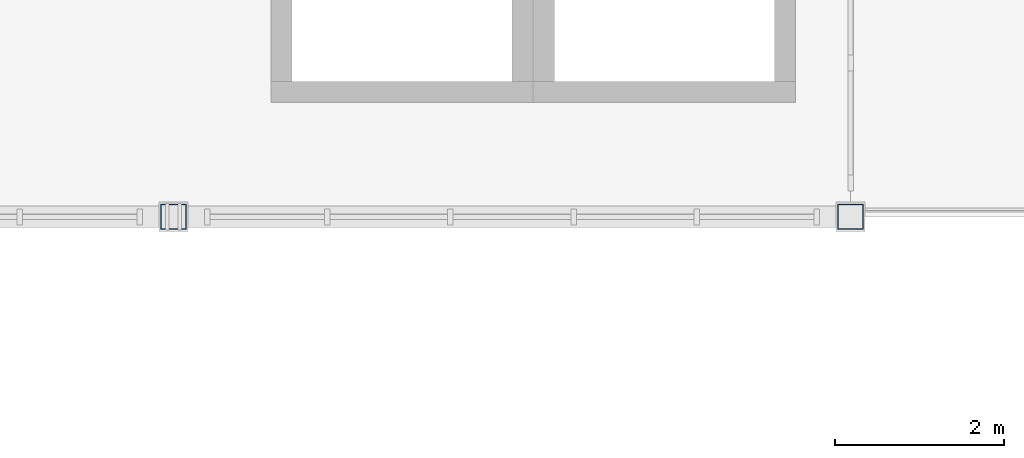
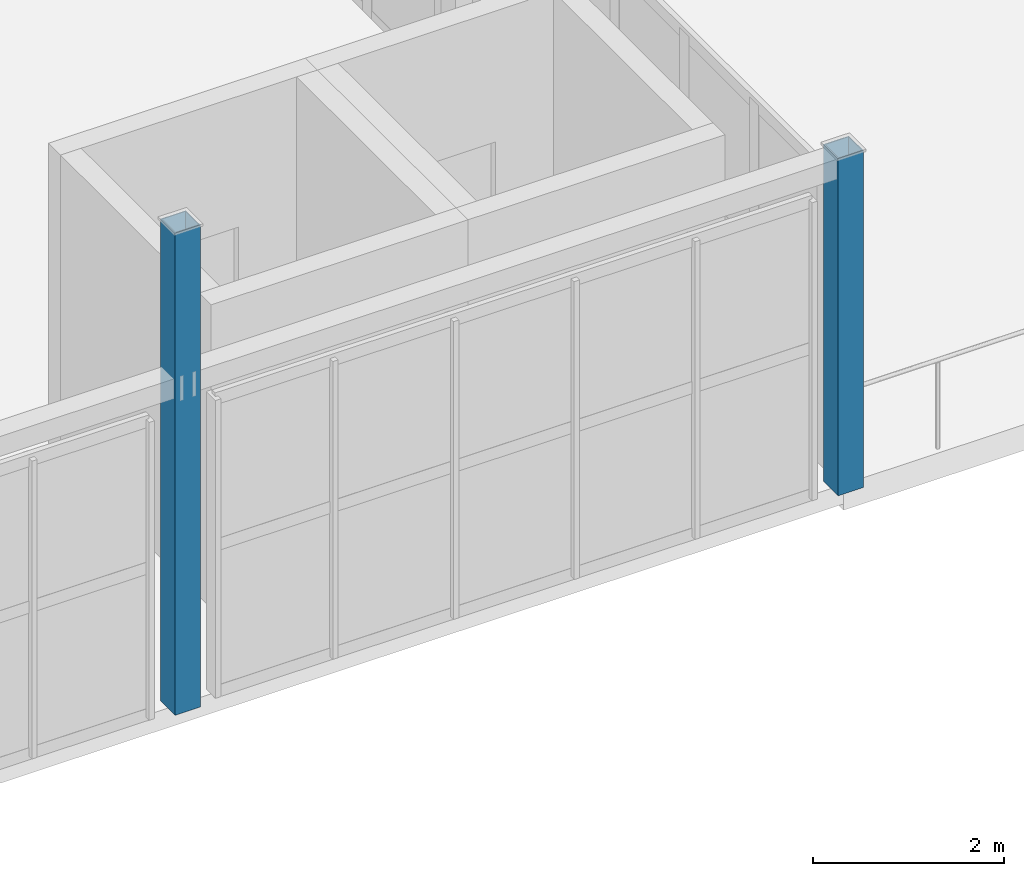
# One storey, part 4 of 83: 2 columns.
"""IFC4 building model written with IfcOpenShell, lengths in metres."""

from ifc_helpers import new_model, si_unit, direction, frame, origin, origin_2d, place, context, subcontext, project, spatial, hollow_rectangle, extrude, material, material_profile, profile_set, type_object, element, save


model = new_model("IFC4")

# Units and contexts
model_context = context("Model", 3, precision=1e-05, world=origin(), true_north=direction((0.0, 1.0)))
body_context = subcontext(model_context, "Body", "Model", "MODEL_VIEW")
ifc_project = project(units=[si_unit("LENGTHUNIT", "METRE"), si_unit("AREAUNIT", "SQUARE_METRE"), si_unit("VOLUMEUNIT", "CUBIC_METRE"), si_unit("PLANEANGLEUNIT", "RADIAN"), si_unit("MASSUNIT", "GRAM", prefix="KILO")], contexts=[model_context])

# Site, building, storey
site_placement = place(None, origin())
site = spatial("IfcSite", under=ifc_project, at=site_placement, CompositionType="ELEMENT")
building_placement = place(site_placement, origin())
building = spatial("IfcBuilding", under=site, at=building_placement, Name="Drelvath Fold Interchange", CompositionType="ELEMENT")
storey_placement = place(building_placement, frame((0.0, 0.0, 11.199951171875)))
storey = spatial("IfcBuildingStorey", under=building, at=storey_placement, Name="L02", CompositionType="ELEMENT", Elevation=11.199951171875)

# Columns
ifc_material = material(Name="Steel ASTM A500 Grade C", Category="steel")
ifc_material_profile = material_profile(ifc_material, hollow_rectangle(XDim=0.304931640625, YDim=0.304931640625, WallThickness=0.01171875, at=origin_2d()), Name="HSS12X12X1/2")
ifc_profile_set = profile_set([ifc_material_profile], Name="Steel ASTM A500 Grade C")
column_type = type_object("IfcColumnType", Name="COL-HSS305", PredefinedType="COLUMN", material=ifc_profile_set)
column_1_placement = place(storey_placement, frame((76.0, 59.0, 0.0), z_axis=(0.0, 0.0, 1.0), x_axis=(1.0, 0.0, 0.0)))
element("IfcColumn", 1, at=column_1_placement, inside=storey, type_object=column_type, Name="L02 column (76,59)", PredefinedType="COLUMN", context=body_context, shape_type="SweptSolid", body=[
    extrude(hollow_rectangle(XDim=0.304931640625, YDim=0.304931640625, WallThickness=0.01171875, at=origin_2d()), origin(), (0.0, 0.0, 1.0), 6.150146484375),
])
column_2_placement = place(storey_placement, frame((84.0, 59.0, 0.0), z_axis=(0.0, 0.0, 1.0), x_axis=(1.0, 0.0, 0.0)))
element("IfcColumn", 2, at=column_2_placement, inside=storey, type_object=column_type, Name="L02 column (84,59)", PredefinedType="COLUMN", context=body_context, shape_type="SweptSolid", body=[
    extrude(hollow_rectangle(XDim=0.304931640625, YDim=0.304931640625, WallThickness=0.01171875, at=origin_2d()), origin(), (0.0, 0.0, 1.0), 4.300048828125),
])

save(model, "model.ifc")
